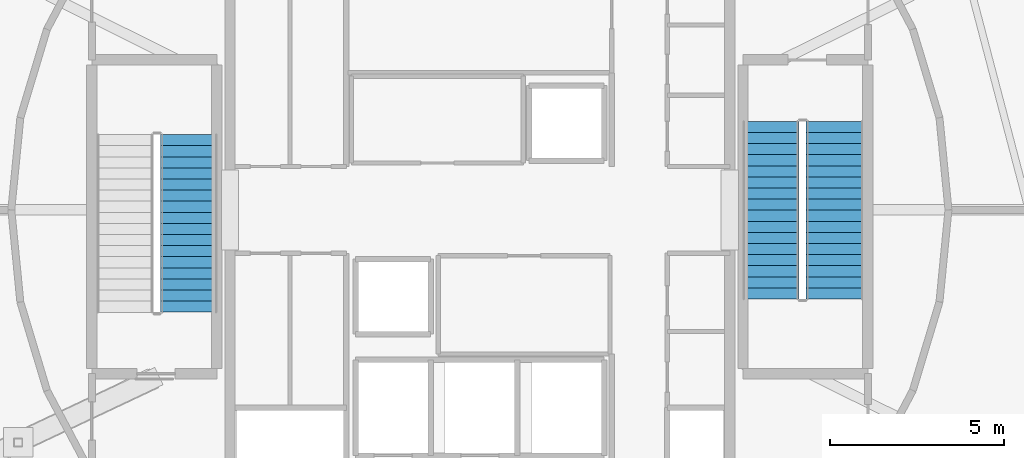
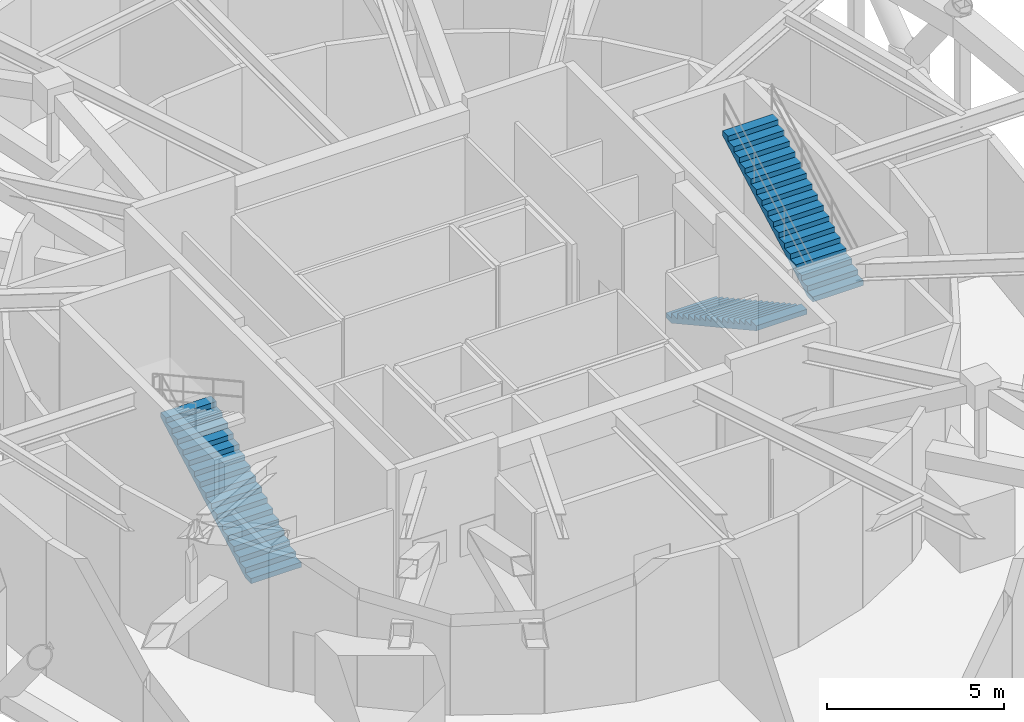
# One storey, part 9 of 11: 3 stair flights, 2 elements without a shape of their own.
"""IFC4 building model written with IfcOpenShell, lengths in metres."""

from ifc_helpers import new_model, si_unit, direction, frame, origin, place, context, subcontext, project, spatial, polyline, outline, extrude, material, type_object, element, aggregate, save


model = new_model("IFC4")

# Units and contexts
model_context = context("Model", 3, precision=1e-05, world=origin(), true_north=direction((0.0, 1.0)))
body_context = subcontext(model_context, "Body", "Model", "MODEL_VIEW")
ifc_project = project(units=[si_unit("LENGTHUNIT", "METRE"), si_unit("AREAUNIT", "SQUARE_METRE"), si_unit("VOLUMEUNIT", "CUBIC_METRE"), si_unit("PLANEANGLEUNIT", "RADIAN"), si_unit("MASSUNIT", "GRAM", prefix="KILO")], contexts=[model_context])

# Site, building, storey
site_placement = place(None, origin())
site = spatial("IfcSite", under=ifc_project, at=site_placement, CompositionType="ELEMENT")
building_placement = place(site_placement, origin())
building = spatial("IfcBuilding", under=site, at=building_placement, Name="Veldorina Hangang Commons", CompositionType="ELEMENT")
storey_placement = place(building_placement, frame((0.0, 0.0, 302.39990234375)))
storey = spatial("IfcBuildingStorey", under=building, at=storey_placement, Name="L79", CompositionType="ELEMENT", Elevation=302.39990234375)

# Stair, stair flight
ifc_material = material(Name="Concrete C40/50", Category="concrete")
stair_type = type_object("IfcStairType", Name="STR-DOG-1650-34R", PredefinedType="HALF_TURN_STAIR", material=ifc_material)
stair_1_placement = place(storey_placement, origin())
stair_1 = element("IfcStair", 1, at=stair_1_placement, inside=storey, type_object=stair_type, Name="L79 Exit stair ST-1", PredefinedType="HALF_TURN_STAIR")
stair_flight_type = type_object("IfcStairFlightType", Name="SFL-STR-1650-34R", PredefinedType="STRAIGHT", material=ifc_material)
stair_flight_1_placement = place(storey_placement, frame((23.625, 21.050048828125, 0.0), z_axis=(0.0, 0.0, 1.0), x_axis=(0.0, 1.0, 0.0)))
stair_flight_1 = element("IfcStairFlight", 2, at=stair_flight_1_placement, type_object=stair_flight_type, Name="ST-1 flight 1", NumberOfRisers=17, NumberOfTreads=16, PredefinedType="STRAIGHT", RiserHeight=0.176470588, TreadLength=0.32, context=body_context, shape_type="SweptSolid", body=[
    extrude(outline(polyline([(0.0, 0.0), (0.0, 0.176513671875), (0.320068359375, 0.176513671875), (0.320068359375, 0.35302734375), (0.639892578125, 0.35302734375), (0.639892578125, 0.529296875), (0.9599609375, 0.529296875), (0.9599609375, 0.705810546875), (1.280029296875, 0.705810546875), (1.280029296875, 0.88232421875), (1.60009765625, 0.88232421875), (1.60009765625, 1.058837890625), (1.919921875, 1.058837890625), (1.919921875, 1.2353515625), (2.239990234375, 1.2353515625), (2.239990234375, 1.411865234375), (2.56005859375, 1.411865234375), (2.56005859375, 1.588134765625), (2.8798828125, 1.588134765625), (2.8798828125, 1.7646484375), (3.199951171875, 1.7646484375), (3.199951171875, 1.941162109375), (3.52001953125, 1.941162109375), (3.52001953125, 2.11767578125), (3.840087890625, 2.11767578125), (3.840087890625, 2.294189453125), (4.159912109375, 2.294189453125), (4.159912109375, 2.470703125), (4.47998046875, 2.470703125), (4.47998046875, 2.64697265625), (4.800048828125, 2.64697265625), (4.800048828125, 2.823486328125), (5.1201171875, 2.823486328125), (5.1201171875, 3.0), (5.1201171875, 2.65234375), (0.310302734375, 0.0), (0.0, 0.0)])), frame((0.0, 0.824951171875, 0.0), z_axis=(0.0, -1.0, 0.0), x_axis=(1.0, 0.0, 0.0)), (0.0, 0.0, 1.0), 1.64990234375),
])
aggregate(stair_1, [stair_flight_1])

# Stair, stair flights
stair_2_placement = place(storey_placement, origin())
stair_2 = element("IfcStair", 3, at=stair_2_placement, inside=storey, type_object=stair_type, Name="L79 Exit stair ST-2", PredefinedType="HALF_TURN_STAIR")
stair_flight_2_placement = place(storey_placement, frame((40.375, 26.550048828125, 0.0), z_axis=(0.0, 0.0, 1.0), x_axis=(0.0, -1.0, 0.0)))
stair_flight_2 = element("IfcStairFlight", 4, at=stair_flight_2_placement, type_object=stair_flight_type, Name="ST-2 flight 1", NumberOfRisers=17, NumberOfTreads=16, PredefinedType="STRAIGHT", RiserHeight=0.176470588, TreadLength=0.32, context=body_context, shape_type="SweptSolid", body=[
    extrude(outline(polyline([(0.0, 0.0), (0.0, 0.176513671875), (0.320068359375, 0.176513671875), (0.320068359375, 0.35302734375), (0.639892578125, 0.35302734375), (0.639892578125, 0.529296875), (0.9599609375, 0.529296875), (0.9599609375, 0.705810546875), (1.280029296875, 0.705810546875), (1.280029296875, 0.88232421875), (1.60009765625, 0.88232421875), (1.60009765625, 1.058837890625), (1.919921875, 1.058837890625), (1.919921875, 1.2353515625), (2.239990234375, 1.2353515625), (2.239990234375, 1.411865234375), (2.56005859375, 1.411865234375), (2.56005859375, 1.588134765625), (2.8798828125, 1.588134765625), (2.8798828125, 1.7646484375), (3.199951171875, 1.7646484375), (3.199951171875, 1.941162109375), (3.52001953125, 1.941162109375), (3.52001953125, 2.11767578125), (3.840087890625, 2.11767578125), (3.840087890625, 2.294189453125), (4.159912109375, 2.294189453125), (4.159912109375, 2.470703125), (4.47998046875, 2.470703125), (4.47998046875, 2.64697265625), (4.800048828125, 2.64697265625), (4.800048828125, 2.823486328125), (5.1201171875, 2.823486328125), (5.1201171875, 3.0), (5.1201171875, 2.65234375), (0.310302734375, 0.0), (0.0, 0.0)])), frame((0.0, 0.824951171875, 0.0), z_axis=(0.0, -1.0, 0.0), x_axis=(1.0, 0.0, 0.0)), (0.0, 0.0, 1.0), 1.64990234375),
])
stair_flight_3_placement = place(storey_placement, frame((42.22509765625, 21.429931640625, 3.0), z_axis=(0.0, 0.0, 1.0), x_axis=(0.0, 1.0, 0.0)))
stair_flight_3 = element("IfcStairFlight", 5, at=stair_flight_3_placement, type_object=stair_flight_type, Name="ST-2 flight 2", NumberOfRisers=17, NumberOfTreads=16, PredefinedType="STRAIGHT", RiserHeight=0.176470588, TreadLength=0.32, context=body_context, shape_type="SweptSolid", body=[
    extrude(outline(polyline([(0.0, 0.0), (0.0, 0.176513671875), (0.320068359375, 0.176513671875), (0.320068359375, 0.35302734375), (0.639892578125, 0.35302734375), (0.639892578125, 0.529296875), (0.9599609375, 0.529296875), (0.9599609375, 0.705810546875), (1.280029296875, 0.705810546875), (1.280029296875, 0.88232421875), (1.60009765625, 0.88232421875), (1.60009765625, 1.058837890625), (1.919921875, 1.058837890625), (1.919921875, 1.2353515625), (2.239990234375, 1.2353515625), (2.239990234375, 1.411865234375), (2.56005859375, 1.411865234375), (2.56005859375, 1.588134765625), (2.8798828125, 1.588134765625), (2.8798828125, 1.7646484375), (3.199951171875, 1.7646484375), (3.199951171875, 1.941162109375), (3.52001953125, 1.941162109375), (3.52001953125, 2.11767578125), (3.840087890625, 2.11767578125), (3.840087890625, 2.294189453125), (4.159912109375, 2.294189453125), (4.159912109375, 2.470703125), (4.47998046875, 2.470703125), (4.47998046875, 2.64697265625), (4.800048828125, 2.64697265625), (4.800048828125, 2.823486328125), (5.1201171875, 2.823486328125), (5.1201171875, 3.0), (5.1201171875, 2.65234375), (0.310302734375, 0.0), (0.0, 0.0)])), frame((0.0, 0.824951171875, 0.0), z_axis=(0.0, -1.0, 0.0), x_axis=(1.0, 0.0, 0.0)), (0.0, 0.0, 1.0), 1.64990234375),
])
aggregate(stair_2, [stair_flight_2, stair_flight_3])

save(model, "model.ifc")
